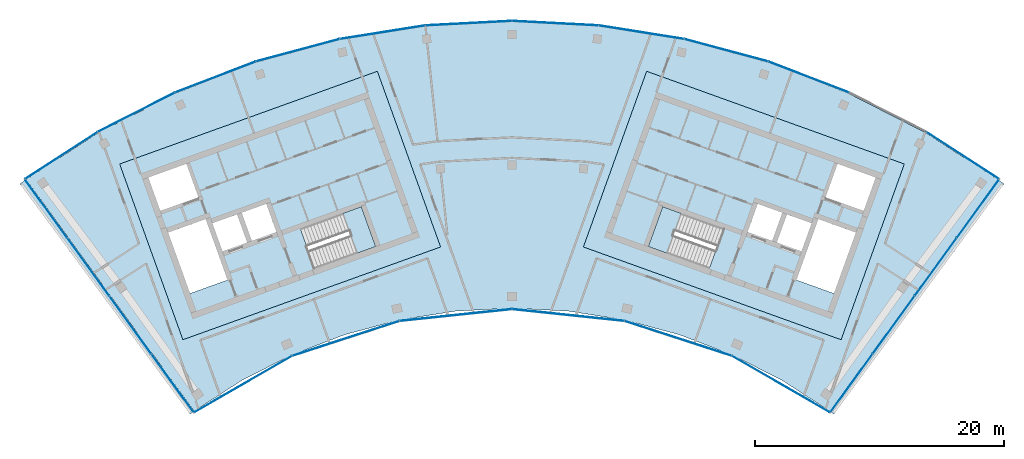
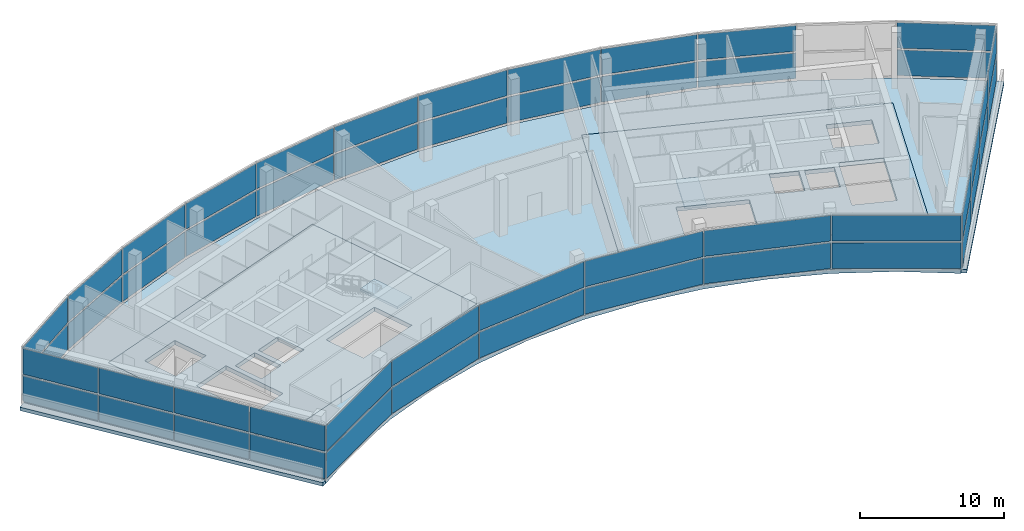
# One storey, part 7 of 13: 50 plates, 7 slabs, 6 elements without a shape of their own.
"""IFC4 building model written with IfcOpenShell, lengths in metres."""

import ifcopenshell
import ifcopenshell.guid

model = None  # the IFC model being written
_history = None  # IfcOwnerHistory: only IFC2X3 demands one
_inside = {}  # id of a spatial element -> (the spatial element, [elements in it])
_under = {}  # id of a project, library or spatial element -> (it, [spatial elements below it])
_declared = {}  # id of a project -> (the project, [libraries it declares])
_typed = {}  # id of a type object -> (the type object, [elements of that type])
_made_of = {}  # id of a material, layer set ... -> (it, [elements and type objects made of it])


def new_model(schema):
    """Start an empty IFC model of exactly this schema.

    Asked for "IFC4X3", IfcOpenShell would pick the latest addendum, in which some entities
    have other attributes; the version numbers below select the first issue.
    IFC2X3 requires an IfcOwnerHistory on every rooted entity: one is made here for all.
    """
    global model, _history
    if schema == "IFC4X3":
        model = ifcopenshell.file(schema_version=(4, 3, 0, 0))
    else:
        model = ifcopenshell.file(schema=schema)
    _inside.clear()
    _under.clear()
    _declared.clear()
    _typed.clear()
    _made_of.clear()
    _history = None
    if model.schema == "IFC2X3":
        org = make("IfcOrganization", Name="unknown")
        user = make(
            "IfcPersonAndOrganization",
            ThePerson=make("IfcPerson", FamilyName="unknown"),
            TheOrganization=org,
        )
        app = make(
            "IfcApplication",
            ApplicationDeveloper=org,
            Version="unknown",
            ApplicationFullName="unknown",
            ApplicationIdentifier="unknown",
        )
        _history = make(
            "IfcOwnerHistory",
            OwningUser=user,
            OwningApplication=app,
            ChangeAction="ADDED",
            CreationDate=0,
        )
    return model


def make(cls, **values):
    """One entity of the class cls with the attributes given. An attribute that is None is left unset."""
    return model.create_entity(
        cls, **{name: value for name, value in values.items() if value is not None}
    )


def rooted(cls, **values):
    """An entity with a GlobalId (a new one), such as an element, a storey or a relation."""
    return make(cls, GlobalId=ifcopenshell.guid.new(), OwnerHistory=_history, **values)


def si_unit(unit_type, name, prefix=None):
    """IfcSIUnit, for example si_unit("LENGTHUNIT", "METRE", prefix="MILLI")."""
    return make("IfcSIUnit", UnitType=unit_type, Prefix=prefix, Name=name)


def assignment(units):
    """IfcUnitAssignment: the units of a project."""
    return None if units is None else make("IfcUnitAssignment", Units=units)


def point(xyz):
    """IfcCartesianPoint."""
    return None if xyz is None else make("IfcCartesianPoint", Coordinates=xyz)


def direction(xyz):
    """IfcDirection."""
    return None if xyz is None else make("IfcDirection", DirectionRatios=xyz)


def frame(location, z_axis=None, x_axis=None):
    """IfcAxis2Placement3D, a coordinate frame: its origin and axes. An axis left out is left unset."""
    return make(
        "IfcAxis2Placement3D",
        Location=point(location),
        Axis=direction(z_axis),
        RefDirection=direction(x_axis),
    )


def frame_2d(location, x_axis=None):
    """IfcAxis2Placement2D, a coordinate frame in the plane: its origin and x axis."""
    return make(
        "IfcAxis2Placement2D", Location=point(location), RefDirection=direction(x_axis)
    )


def origin():
    """The frame at (0, 0, 0) with its axes left unset."""
    return frame((0.0, 0.0, 0.0))


def origin_2d():
    """The frame at (0, 0) in the plane with its x axis left unset."""
    return frame_2d((0.0, 0.0))


def place(relative_to, where):
    """IfcLocalPlacement: puts the frame where relative to a parent placement (None: the world)."""
    return make(
        "IfcLocalPlacement", PlacementRelTo=relative_to, RelativePlacement=where
    )


def context(
    kind, dimensions, precision=None, world=None, true_north=None, identifier=None
):
    """IfcGeometricRepresentationContext, for example the 3D "Model" context."""
    return make(
        "IfcGeometricRepresentationContext",
        ContextIdentifier=identifier,
        ContextType=kind,
        CoordinateSpaceDimension=dimensions,
        Precision=precision,
        WorldCoordinateSystem=world,
        TrueNorth=true_north,
    )


def subcontext(parent, identifier, kind, view, scale=None):
    """IfcGeometricRepresentationSubContext, for example "Body" below "Model"."""
    return make(
        "IfcGeometricRepresentationSubContext",
        ContextIdentifier=identifier,
        ContextType=kind,
        ParentContext=parent,
        TargetScale=scale,
        TargetView=view,
    )


def project(units=None, contexts=None):
    """IfcProject with its units and contexts."""
    return rooted(
        "IfcProject",
        Name="project",
        RepresentationContexts=contexts,
        UnitsInContext=assignment(units),
    )


def spatial(cls, under=None, at=None, **own):
    """A site, building, storey or space (cls), placed at a placement, below another one or the project."""
    s = rooted(cls, ObjectPlacement=at, **own)
    if under is not None:
        _under.setdefault(under.id(), (under, []))[1].append(s)
    return s


def polyline(points):
    """IfcPolyline through the points."""
    return make("IfcPolyline", Points=[point(p) for p in points])


def profile(cls, at=None, kind="AREA", **sizes):
    """A parametric profile (cls). Its sizes go by their IFC names, for example OverallWidth=200.0."""
    return make(cls, ProfileType=kind, Position=at, **sizes)


def rectangle(**sizes):
    """IfcRectangleProfileDef."""
    return profile("IfcRectangleProfileDef", **sizes)


def outline(outer, holes=None, kind="AREA"):
    """IfcArbitraryClosedProfileDef: a profile drawn as a closed curve; with holes, ...WithVoids."""
    if holes is None:
        return make("IfcArbitraryClosedProfileDef", ProfileType=kind, OuterCurve=outer)
    return make(
        "IfcArbitraryProfileDefWithVoids",
        ProfileType=kind,
        OuterCurve=outer,
        InnerCurves=holes,
    )


def extrude(swept, where, along, depth):
    """IfcExtrudedAreaSolid: the profile swept, set in the frame where, extruded along a direction by depth."""
    return make(
        "IfcExtrudedAreaSolid",
        SweptArea=swept,
        Position=where,
        ExtrudedDirection=direction(along),
        Depth=depth,
    )


def shape(context_of_items, identifier, shape_type, items):
    """IfcShapeRepresentation: the items that make up one representation, for example the "Body"."""
    return make(
        "IfcShapeRepresentation",
        ContextOfItems=context_of_items,
        RepresentationIdentifier=identifier,
        RepresentationType=shape_type,
        Items=items,
    )


def material(Name=None, Category=None):
    """IfcMaterial."""
    return make("IfcMaterial", Name=Name, Category=Category)


def layer(
    of_material, thickness, ventilated=None, Name=None, Category=None, Priority=None
):
    """IfcMaterialLayer: one layer of a wall or slab, of a material (None: an air gap)."""
    return make(
        "IfcMaterialLayer",
        Material=of_material,
        LayerThickness=thickness,
        IsVentilated=ventilated,
        Name=Name,
        Category=Category,
        Priority=Priority,
    )


def layer_set(layers, Name=None):
    """IfcMaterialLayerSet."""
    return make("IfcMaterialLayerSet", MaterialLayers=layers, LayerSetName=Name)


def made_of(thing, what):
    """Note that an element or type object is made of a material, layer set ...; save() writes the relation."""
    if what is not None:
        _made_of.setdefault(what.id(), (what, []))[1].append(thing)
    return thing


def type_object(cls, material=None, **own):
    """A type object (cls), such as IfcWallType, which elements share."""
    return made_of(rooted(cls, **own), material)


def element(
    cls,
    number,
    at=None,
    inside=None,
    cuts=None,
    type_object=None,
    material=None,
    context=None,
    identifier="Body",
    shape_type=None,
    held_by="IfcProductDefinitionShape",
    body=None,
    shapes=None,
    **own,
):
    """One element of the class cls, such as IfcWall. Its Tag is "e" and its number.

    at: its placement. inside: the storey or other place that contains it. cuts: it is an
    opening in that element (IfcRelVoidsElement). A single representation is given by context,
    identifier, shape_type and body (its items); several are given by shapes. held_by: the class
    of the entity that holds the representations. save() writes the other relations.
    """
    e = rooted(cls, Tag="e%d" % number, ObjectPlacement=at, **own)
    if body is not None:
        shapes = [shape(context, identifier, shape_type, body)]
    if shapes is not None:
        e.Representation = make(held_by, Representations=shapes)
    if inside is not None:
        _inside.setdefault(inside.id(), (inside, []))[1].append(e)
    if cuts is not None:
        rooted(
            "IfcRelVoidsElement", RelatingBuildingElement=cuts, RelatedOpeningElement=e
        )
    if type_object is not None:
        _typed.setdefault(type_object.id(), (type_object, []))[1].append(e)
    return made_of(e, material)


def aggregate(whole, parts):
    """IfcRelAggregates: a whole, such as a stair, and the parts it consists of."""
    return rooted("IfcRelAggregates", RelatingObject=whole, RelatedObjects=parts)


def save(model, path):
    """Write the relations noted so far, then the file.

    IfcRelAggregates (storeys below a building ...), IfcRelContainedInSpatialStructure (elements
    in a storey), IfcRelDefinesByType, IfcRelAssociatesMaterial and IfcRelDeclares: one each for
    every whole, place, type object, material and project.
    """
    for whole, parts in _under.values():
        aggregate(whole, parts)
    for where, things in _inside.values():
        rooted(
            "IfcRelContainedInSpatialStructure",
            RelatedElements=things,
            RelatingStructure=where,
        )
    for kind, things in _typed.values():
        rooted("IfcRelDefinesByType", RelatedObjects=things, RelatingType=kind)
    for what, things in _made_of.values():
        rooted("IfcRelAssociatesMaterial", RelatedObjects=things, RelatingMaterial=what)
    for by, libraries in _declared.values():
        rooted("IfcRelDeclares", RelatingContext=by, RelatedDefinitions=libraries)
    model.write(path)


model = new_model("IFC4")

# Units and contexts
model_context = context("Model", 3, precision=1e-05, world=origin(), true_north=direction((0.0, 1.0)))
body_context = subcontext(model_context, "Body", "Model", "MODEL_VIEW")
ifc_project = project(units=[si_unit("LENGTHUNIT", "METRE"), si_unit("AREAUNIT", "SQUARE_METRE"), si_unit("VOLUMEUNIT", "CUBIC_METRE"), si_unit("PLANEANGLEUNIT", "RADIAN"), si_unit("MASSUNIT", "GRAM", prefix="KILO")], contexts=[model_context])

# Site, building, storey
site_placement = place(None, origin())
site = spatial("IfcSite", under=ifc_project, at=site_placement, CompositionType="ELEMENT")
building_placement = place(site_placement, origin())
building = spatial("IfcBuilding", under=site, at=building_placement, Name="Stone Belt Terrace Tower", CompositionType="ELEMENT")
storey_placement = place(building_placement, frame((0.0, 0.0, 332.60009765625)))
storey = spatial("IfcBuildingStorey", under=building, at=storey_placement, Name="L79", CompositionType="ELEMENT", Elevation=332.60009765625)

# Curtain wall, plates
ifc_material_1 = material(Name="Aluminium 6063-T6 anodised frame", Category="aluminium")
ifc_layer_1 = layer(ifc_material_1, 0.14990234375)
ifc_layer_set_1 = layer_set([ifc_layer_1], Name="CW-F observation floor curtain wall")
curtain_wall_type = type_object("IfcCurtainWallType", Name="CW-F observation floor curtain wall", PredefinedType="NOTDEFINED", material=ifc_layer_set_1)
curtain_wall_1_placement = place(storey_placement, origin())
curtain_wall_1 = element("IfcCurtainWall", 1, at=curtain_wall_1_placement, inside=storey, type_object=curtain_wall_type, Name="CW-F concave face L79", PredefinedType="NOTDEFINED")
ifc_material_2 = material(Name="Clear double glazed unit")
ifc_layer_2 = layer(ifc_material_2, 0.035888671875)
ifc_layer_set_2 = layer_set([ifc_layer_2], Name="CW-F glass panel 36")
plate_type = type_object("IfcPlateType", Name="CW-F glass panel 36", PredefinedType="CURTAIN_PANEL", material=ifc_layer_set_2)
plate_1_placement = place(storey_placement, frame((-21.593017578125, 37.403564453125, 0.14990234375), z_axis=(0.0, 0.0, 1.0), x_axis=(0.866286736239, 0.499547085486, 0.0)))
plate_1 = element("IfcPlate", 2, at=plate_1_placement, type_object=plate_type, Name="CW-F panel 1.1", PredefinedType="CURTAIN_PANEL", context=body_context, shape_type="SweptSolid", body=[
    extrude(rectangle(XDim=8.989501953125, YDim=0.035888671875, at=origin_2d()), origin(), (0.0, 0.0, 1.0), 2.175048828125),
])
plate_2_placement = place(storey_placement, frame((-21.593017578125, 37.403564453125, 2.47509765625), z_axis=(0.0, 0.0, 1.0), x_axis=(0.866286736239, 0.499547085486, 0.0)))
plate_2 = element("IfcPlate", 3, at=plate_2_placement, type_object=plate_type, Name="CW-F panel 1.2", PredefinedType="CURTAIN_PANEL", context=body_context, shape_type="SweptSolid", body=[
    extrude(rectangle(XDim=8.989501953125, YDim=0.035888671875, at=origin_2d()), origin(), (0.0, 0.0, 1.0), 2.175048828125),
])
plate_3_placement = place(storey_placement, frame((-13.345458984375, 41.072998046875, 0.14990234375), z_axis=(0.0, 0.0, 1.0), x_axis=(0.951056516295, 0.309016994375, 0.0)))
plate_3 = element("IfcPlate", 4, at=plate_3_placement, type_object=plate_type, Name="CW-F panel 2.1", PredefinedType="CURTAIN_PANEL", context=body_context, shape_type="SweptSolid", body=[
    extrude(rectangle(XDim=8.992919921875, YDim=0.035888671875, at=origin_2d()), origin(), (0.0, 0.0, 1.0), 2.175048828125),
])
plate_4_placement = place(storey_placement, frame((-13.345458984375, 41.072998046875, 2.47509765625), z_axis=(0.0, 0.0, 1.0), x_axis=(0.951056516295, 0.309016994375, 0.0)))
plate_4 = element("IfcPlate", 5, at=plate_4_placement, type_object=plate_type, Name="CW-F panel 2.2", PredefinedType="CURTAIN_PANEL", context=body_context, shape_type="SweptSolid", body=[
    extrude(rectangle(XDim=8.992919921875, YDim=0.035888671875, at=origin_2d()), origin(), (0.0, 0.0, 1.0), 2.175048828125),
])
plate_5_placement = place(storey_placement, frame((-4.51416015625, 42.9501953125, 0.14990234375), z_axis=(0.0, 0.0, 1.0), x_axis=(0.994521895368, 0.104528463268, 0.0)))
plate_5 = element("IfcPlate", 6, at=plate_5_placement, type_object=plate_type, Name="CW-F panel 3.1", PredefinedType="CURTAIN_PANEL", context=body_context, shape_type="SweptSolid", body=[
    extrude(rectangle(XDim=8.992919921875, YDim=0.035888671875, at=origin_2d()), origin(), (0.0, 0.0, 1.0), 2.175048828125),
])
plate_6_placement = place(storey_placement, frame((-4.51416015625, 42.9501953125, 2.47509765625), z_axis=(0.0, 0.0, 1.0), x_axis=(0.994521895368, 0.104528463268, 0.0)))
plate_6 = element("IfcPlate", 7, at=plate_6_placement, type_object=plate_type, Name="CW-F panel 3.2", PredefinedType="CURTAIN_PANEL", context=body_context, shape_type="SweptSolid", body=[
    extrude(rectangle(XDim=8.992919921875, YDim=0.035888671875, at=origin_2d()), origin(), (0.0, 0.0, 1.0), 2.175048828125),
])
plate_7_placement = place(storey_placement, frame((4.51416015625, 42.9501953125, 0.14990234375), z_axis=(0.0, 0.0, 1.0), x_axis=(0.994521895368, -0.104528463268, 0.0)))
plate_7 = element("IfcPlate", 8, at=plate_7_placement, type_object=plate_type, Name="CW-F panel 4.1", PredefinedType="CURTAIN_PANEL", context=body_context, shape_type="SweptSolid", body=[
    extrude(rectangle(XDim=8.992919921875, YDim=0.035888671875, at=origin_2d()), origin(), (0.0, 0.0, 1.0), 2.175048828125),
])
plate_8_placement = place(storey_placement, frame((4.51416015625, 42.9501953125, 2.47509765625), z_axis=(0.0, 0.0, 1.0), x_axis=(0.994521895368, -0.104528463268, 0.0)))
plate_8 = element("IfcPlate", 9, at=plate_8_placement, type_object=plate_type, Name="CW-F panel 4.2", PredefinedType="CURTAIN_PANEL", context=body_context, shape_type="SweptSolid", body=[
    extrude(rectangle(XDim=8.992919921875, YDim=0.035888671875, at=origin_2d()), origin(), (0.0, 0.0, 1.0), 2.175048828125),
])
plate_9_placement = place(storey_placement, frame((13.345458984375, 41.072998046875, 0.14990234375), z_axis=(0.0, 0.0, 1.0), x_axis=(0.951056516295, -0.309016994375, 0.0)))
plate_9 = element("IfcPlate", 10, at=plate_9_placement, type_object=plate_type, Name="CW-F panel 5.1", PredefinedType="CURTAIN_PANEL", context=body_context, shape_type="SweptSolid", body=[
    extrude(rectangle(XDim=8.992919921875, YDim=0.035888671875, at=origin_2d()), origin(), (0.0, 0.0, 1.0), 2.175048828125),
])
plate_10_placement = place(storey_placement, frame((13.345458984375, 41.072998046875, 2.47509765625), z_axis=(0.0, 0.0, 1.0), x_axis=(0.951056516295, -0.309016994375, 0.0)))
plate_10 = element("IfcPlate", 11, at=plate_10_placement, type_object=plate_type, Name="CW-F panel 5.2", PredefinedType="CURTAIN_PANEL", context=body_context, shape_type="SweptSolid", body=[
    extrude(rectangle(XDim=8.992919921875, YDim=0.035888671875, at=origin_2d()), origin(), (0.0, 0.0, 1.0), 2.175048828125),
])
plate_11_placement = place(storey_placement, frame((21.593017578125, 37.403564453125, 0.14990234375), z_axis=(0.0, 0.0, 1.0), x_axis=(0.866286736239, -0.499547085486, 0.0)))
plate_11 = element("IfcPlate", 12, at=plate_11_placement, type_object=plate_type, Name="CW-F panel 6.1", PredefinedType="CURTAIN_PANEL", context=body_context, shape_type="SweptSolid", body=[
    extrude(rectangle(XDim=8.989501953125, YDim=0.035888671875, at=origin_2d()), origin(), (0.0, 0.0, 1.0), 2.175048828125),
])
plate_12_placement = place(storey_placement, frame((21.593017578125, 37.403564453125, 2.47509765625), z_axis=(0.0, 0.0, 1.0), x_axis=(0.866286736239, -0.499547085486, 0.0)))
plate_12 = element("IfcPlate", 13, at=plate_12_placement, type_object=plate_type, Name="CW-F panel 6.2", PredefinedType="CURTAIN_PANEL", context=body_context, shape_type="SweptSolid", body=[
    extrude(rectangle(XDim=8.989501953125, YDim=0.035888671875, at=origin_2d()), origin(), (0.0, 0.0, 1.0), 2.175048828125),
])
aggregate(curtain_wall_1, [plate_1, plate_2, plate_3, plate_4, plate_5, plate_6, plate_7, plate_8, plate_9, plate_10, plate_11, plate_12])

curtain_wall_2_placement = place(storey_placement, origin())
curtain_wall_2 = element("IfcCurtainWall", 14, at=curtain_wall_2_placement, inside=storey, type_object=curtain_wall_type, Name="CW-F end face L79", PredefinedType="NOTDEFINED")
plate_13_placement = place(storey_placement, frame((27.272216796875, 37.491943359375, 0.14990234375), z_axis=(0.0, 0.0, 1.0), x_axis=(0.586938858249, 0.809631259696, 0.0)))
plate_13 = element("IfcPlate", 15, at=plate_13_placement, type_object=plate_type, Name="CW-F panel 1.1", PredefinedType="CURTAIN_PANEL", context=body_context, shape_type="SweptSolid", body=[
    extrude(rectangle(XDim=5.706298828125, YDim=0.035888671875, at=origin_2d()), origin(), (0.0, 0.0, 1.0), 2.175048828125),
])
plate_14_placement = place(storey_placement, frame((27.272216796875, 37.491943359375, 2.47509765625), z_axis=(0.0, 0.0, 1.0), x_axis=(0.586938858249, 0.809631259696, 0.0)))
plate_14 = element("IfcPlate", 16, at=plate_14_placement, type_object=plate_type, Name="CW-F panel 1.2", PredefinedType="CURTAIN_PANEL", context=body_context, shape_type="SweptSolid", body=[
    extrude(rectangle(XDim=5.706298828125, YDim=0.035888671875, at=origin_2d()), origin(), (0.0, 0.0, 1.0), 2.175048828125),
])
plate_15_placement = place(storey_placement, frame((30.655029296875, 42.157958984375, 0.14990234375), z_axis=(0.0, 0.0, 1.0), x_axis=(0.586938858249, 0.809631259696, 0.0)))
plate_15 = element("IfcPlate", 17, at=plate_15_placement, type_object=plate_type, Name="CW-F panel 2.1", PredefinedType="CURTAIN_PANEL", context=body_context, shape_type="SweptSolid", body=[
    extrude(rectangle(XDim=5.679931640625, YDim=0.035888671875, at=origin_2d()), origin(), (0.0, 0.0, 1.0), 2.175048828125),
])
plate_16_placement = place(storey_placement, frame((30.655029296875, 42.157958984375, 2.47509765625), z_axis=(0.0, 0.0, 1.0), x_axis=(0.586938858249, 0.809631259696, 0.0)))
plate_16 = element("IfcPlate", 18, at=plate_16_placement, type_object=plate_type, Name="CW-F panel 2.2", PredefinedType="CURTAIN_PANEL", context=body_context, shape_type="SweptSolid", body=[
    extrude(rectangle(XDim=5.679931640625, YDim=0.035888671875, at=origin_2d()), origin(), (0.0, 0.0, 1.0), 2.175048828125),
])
plate_17_placement = place(storey_placement, frame((34.02978515625, 46.8134765625, 0.14990234375), z_axis=(0.0, 0.0, 1.0), x_axis=(0.586938858249, 0.809631259696, 0.0)))
plate_17 = element("IfcPlate", 19, at=plate_17_placement, type_object=plate_type, Name="CW-F panel 3.1", PredefinedType="CURTAIN_PANEL", context=body_context, shape_type="SweptSolid", body=[
    extrude(rectangle(XDim=5.679931640625, YDim=0.035888671875, at=origin_2d()), origin(), (0.0, 0.0, 1.0), 2.175048828125),
])
plate_18_placement = place(storey_placement, frame((34.02978515625, 46.8134765625, 2.47509765625), z_axis=(0.0, 0.0, 1.0), x_axis=(0.586938858249, 0.809631259696, 0.0)))
plate_18 = element("IfcPlate", 20, at=plate_18_placement, type_object=plate_type, Name="CW-F panel 3.2", PredefinedType="CURTAIN_PANEL", context=body_context, shape_type="SweptSolid", body=[
    extrude(rectangle(XDim=5.679931640625, YDim=0.035888671875, at=origin_2d()), origin(), (0.0, 0.0, 1.0), 2.175048828125),
])
plate_19_placement = place(storey_placement, frame((37.4150390625, 51.483154296875, 0.14990234375), z_axis=(0.0, 0.0, 1.0), x_axis=(0.586938858249, 0.809631259696, 0.0)))
plate_19 = element("IfcPlate", 21, at=plate_19_placement, type_object=plate_type, Name="CW-F panel 4.1", PredefinedType="CURTAIN_PANEL", context=body_context, shape_type="SweptSolid", body=[
    extrude(rectangle(XDim=5.715576171875, YDim=0.035888671875, at=origin_2d()), origin(), (0.0, 0.0, 1.0), 2.175048828125),
])
plate_20_placement = place(storey_placement, frame((37.4150390625, 51.483154296875, 2.47509765625), z_axis=(0.0, 0.0, 1.0), x_axis=(0.586938858249, 0.809631259696, 0.0)))
plate_20 = element("IfcPlate", 22, at=plate_20_placement, type_object=plate_type, Name="CW-F panel 4.2", PredefinedType="CURTAIN_PANEL", context=body_context, shape_type="SweptSolid", body=[
    extrude(rectangle(XDim=5.715576171875, YDim=0.035888671875, at=origin_2d()), origin(), (0.0, 0.0, 1.0), 2.175048828125),
])
aggregate(curtain_wall_2, [plate_13, plate_14, plate_15, plate_16, plate_17, plate_18, plate_19, plate_20])

curtain_wall_3_placement = place(storey_placement, origin())
curtain_wall_3 = element("IfcCurtainWall", 23, at=curtain_wall_3_placement, inside=storey, type_object=curtain_wall_type, Name="CW-F convex face L79", PredefinedType="NOTDEFINED")
plate_21_placement = place(storey_placement, frame((36.1962890625, 55.768798828125, 0.14990234375), z_axis=(0.0, 0.0, 1.0), x_axis=(-0.838955245967, 0.544200418288, 0.0)))
plate_21 = element("IfcPlate", 24, at=plate_21_placement, type_object=plate_type, Name="CW-F panel 1.1", PredefinedType="CURTAIN_PANEL", context=body_context, shape_type="SweptSolid", body=[
    extrude(rectangle(XDim=6.856689453125, YDim=0.035888671875, at=origin_2d()), origin(), (0.0, 0.0, 1.0), 2.175048828125),
])
plate_22_placement = place(storey_placement, frame((36.1962890625, 55.768798828125, 2.47509765625), z_axis=(0.0, 0.0, 1.0), x_axis=(-0.838955245967, 0.544200418288, 0.0)))
plate_22 = element("IfcPlate", 25, at=plate_22_placement, type_object=plate_type, Name="CW-F panel 1.2", PredefinedType="CURTAIN_PANEL", context=body_context, shape_type="SweptSolid", body=[
    extrude(rectangle(XDim=6.856689453125, YDim=0.035888671875, at=origin_2d()), origin(), (0.0, 0.0, 1.0), 2.175048828125),
])
plate_23_placement = place(storey_placement, frame((23.82568359375, 62.068115234375, 0.14990234375), z_axis=(0.0, 0.0, 1.0), x_axis=(-0.933580426497, 0.358367949545, 0.0)))
plate_23 = element("IfcPlate", 26, at=plate_23_placement, type_object=plate_type, Name="CW-F panel 3.1", PredefinedType="CURTAIN_PANEL", context=body_context, shape_type="SweptSolid", body=[
    extrude(rectangle(XDim=6.890869140625, YDim=0.035888671875, at=origin_2d()), origin(), (0.0, 0.0, 1.0), 2.175048828125),
])
plate_24_placement = place(storey_placement, frame((23.82568359375, 62.068115234375, 2.47509765625), z_axis=(0.0, 0.0, 1.0), x_axis=(-0.933580426497, 0.358367949545, 0.0)))
plate_24 = element("IfcPlate", 27, at=plate_24_placement, type_object=plate_type, Name="CW-F panel 3.2", PredefinedType="CURTAIN_PANEL", context=body_context, shape_type="SweptSolid", body=[
    extrude(rectangle(XDim=6.890869140625, YDim=0.035888671875, at=origin_2d()), origin(), (0.0, 0.0, 1.0), 2.175048828125),
])
plate_25_placement = place(storey_placement, frame((17.207275390625, 64.218505859375, 0.14990234375), z_axis=(0.0, 0.0, 1.0), x_axis=(-0.965925826289, 0.258819045103, 0.0)))
plate_25 = element("IfcPlate", 28, at=plate_25_placement, type_object=plate_type, Name="CW-F panel 4.1", PredefinedType="CURTAIN_PANEL", context=body_context, shape_type="SweptSolid", body=[
    extrude(rectangle(XDim=6.890869140625, YDim=0.035888671875, at=origin_2d()), origin(), (0.0, 0.0, 1.0), 2.175048828125),
])
plate_26_placement = place(storey_placement, frame((17.207275390625, 64.218505859375, 2.47509765625), z_axis=(0.0, 0.0, 1.0), x_axis=(-0.965925826289, 0.258819045103, 0.0)))
plate_26 = element("IfcPlate", 29, at=plate_26_placement, type_object=plate_type, Name="CW-F panel 4.2", PredefinedType="CURTAIN_PANEL", context=body_context, shape_type="SweptSolid", body=[
    extrude(rectangle(XDim=6.890869140625, YDim=0.035888671875, at=origin_2d()), origin(), (0.0, 0.0, 1.0), 2.175048828125),
])
plate_27_placement = place(storey_placement, frame((10.400390625, 65.665283203125, 0.14990234375), z_axis=(0.0, 0.0, 1.0), x_axis=(-0.987688340595, 0.15643446504, 0.0)))
plate_27 = element("IfcPlate", 30, at=plate_27_placement, type_object=plate_type, Name="CW-F panel 5.1", PredefinedType="CURTAIN_PANEL", context=body_context, shape_type="SweptSolid", body=[
    extrude(rectangle(XDim=6.890869140625, YDim=0.035888671875, at=origin_2d()), origin(), (0.0, 0.0, 1.0), 2.175048828125),
])
plate_28_placement = place(storey_placement, frame((10.400390625, 65.665283203125, 2.47509765625), z_axis=(0.0, 0.0, 1.0), x_axis=(-0.987688340595, 0.15643446504, 0.0)))
plate_28 = element("IfcPlate", 31, at=plate_28_placement, type_object=plate_type, Name="CW-F panel 5.2", PredefinedType="CURTAIN_PANEL", context=body_context, shape_type="SweptSolid", body=[
    extrude(rectangle(XDim=6.890869140625, YDim=0.035888671875, at=origin_2d()), origin(), (0.0, 0.0, 1.0), 2.175048828125),
])
plate_29_placement = place(storey_placement, frame((3.4794921875, 66.392822265625, 0.14990234375), z_axis=(0.0, 0.0, 1.0), x_axis=(-0.998629534755, 0.052335956243, 0.0)))
plate_29 = element("IfcPlate", 32, at=plate_29_placement, type_object=plate_type, Name="CW-F panel 6.1", PredefinedType="CURTAIN_PANEL", context=body_context, shape_type="SweptSolid", body=[
    extrude(rectangle(XDim=6.890869140625, YDim=0.035888671875, at=origin_2d()), origin(), (0.0, 0.0, 1.0), 2.175048828125),
])
plate_30_placement = place(storey_placement, frame((3.4794921875, 66.392822265625, 2.47509765625), z_axis=(0.0, 0.0, 1.0), x_axis=(-0.998629534755, 0.052335956243, 0.0)))
plate_30 = element("IfcPlate", 33, at=plate_30_placement, type_object=plate_type, Name="CW-F panel 6.2", PredefinedType="CURTAIN_PANEL", context=body_context, shape_type="SweptSolid", body=[
    extrude(rectangle(XDim=6.890869140625, YDim=0.035888671875, at=origin_2d()), origin(), (0.0, 0.0, 1.0), 2.175048828125),
])
plate_31_placement = place(storey_placement, frame((-3.4794921875, 66.392822265625, 0.14990234375), z_axis=(0.0, 0.0, 1.0), x_axis=(-0.998629534755, -0.052335956243, 0.0)))
plate_31 = element("IfcPlate", 34, at=plate_31_placement, type_object=plate_type, Name="CW-F panel 7.1", PredefinedType="CURTAIN_PANEL", context=body_context, shape_type="SweptSolid", body=[
    extrude(rectangle(XDim=6.890869140625, YDim=0.035888671875, at=origin_2d()), origin(), (0.0, 0.0, 1.0), 2.175048828125),
])
plate_32_placement = place(storey_placement, frame((-3.4794921875, 66.392822265625, 2.47509765625), z_axis=(0.0, 0.0, 1.0), x_axis=(-0.998629534755, -0.052335956243, 0.0)))
plate_32 = element("IfcPlate", 35, at=plate_32_placement, type_object=plate_type, Name="CW-F panel 7.2", PredefinedType="CURTAIN_PANEL", context=body_context, shape_type="SweptSolid", body=[
    extrude(rectangle(XDim=6.890869140625, YDim=0.035888671875, at=origin_2d()), origin(), (0.0, 0.0, 1.0), 2.175048828125),
])
plate_33_placement = place(storey_placement, frame((-10.400390625, 65.665283203125, 0.14990234375), z_axis=(0.0, 0.0, 1.0), x_axis=(-0.987688340595, -0.15643446504, 0.0)))
plate_33 = element("IfcPlate", 36, at=plate_33_placement, type_object=plate_type, Name="CW-F panel 8.1", PredefinedType="CURTAIN_PANEL", context=body_context, shape_type="SweptSolid", body=[
    extrude(rectangle(XDim=6.890869140625, YDim=0.035888671875, at=origin_2d()), origin(), (0.0, 0.0, 1.0), 2.175048828125),
])
plate_34_placement = place(storey_placement, frame((-10.400390625, 65.665283203125, 2.47509765625), z_axis=(0.0, 0.0, 1.0), x_axis=(-0.987688340595, -0.15643446504, 0.0)))
plate_34 = element("IfcPlate", 37, at=plate_34_placement, type_object=plate_type, Name="CW-F panel 8.2", PredefinedType="CURTAIN_PANEL", context=body_context, shape_type="SweptSolid", body=[
    extrude(rectangle(XDim=6.890869140625, YDim=0.035888671875, at=origin_2d()), origin(), (0.0, 0.0, 1.0), 2.175048828125),
])
plate_35_placement = place(storey_placement, frame((-17.207275390625, 64.218505859375, 0.14990234375), z_axis=(0.0, 0.0, 1.0), x_axis=(-0.965925826289, -0.258819045103, 0.0)))
plate_35 = element("IfcPlate", 38, at=plate_35_placement, type_object=plate_type, Name="CW-F panel 9.1", PredefinedType="CURTAIN_PANEL", context=body_context, shape_type="SweptSolid", body=[
    extrude(rectangle(XDim=6.890869140625, YDim=0.035888671875, at=origin_2d()), origin(), (0.0, 0.0, 1.0), 2.175048828125),
])
plate_36_placement = place(storey_placement, frame((-17.207275390625, 64.218505859375, 2.47509765625), z_axis=(0.0, 0.0, 1.0), x_axis=(-0.965925826289, -0.258819045103, 0.0)))
plate_36 = element("IfcPlate", 39, at=plate_36_placement, type_object=plate_type, Name="CW-F panel 9.2", PredefinedType="CURTAIN_PANEL", context=body_context, shape_type="SweptSolid", body=[
    extrude(rectangle(XDim=6.890869140625, YDim=0.035888671875, at=origin_2d()), origin(), (0.0, 0.0, 1.0), 2.175048828125),
])
plate_37_placement = place(storey_placement, frame((-23.82568359375, 62.068115234375, 0.14990234375), z_axis=(0.0, 0.0, 1.0), x_axis=(-0.933580426497, -0.358367949545, 0.0)))
plate_37 = element("IfcPlate", 40, at=plate_37_placement, type_object=plate_type, Name="CW-F panel 10.1", PredefinedType="CURTAIN_PANEL", context=body_context, shape_type="SweptSolid", body=[
    extrude(rectangle(XDim=6.890869140625, YDim=0.035888671875, at=origin_2d()), origin(), (0.0, 0.0, 1.0), 2.175048828125),
])
plate_38_placement = place(storey_placement, frame((-23.82568359375, 62.068115234375, 2.47509765625), z_axis=(0.0, 0.0, 1.0), x_axis=(-0.933580426497, -0.358367949545, 0.0)))
plate_38 = element("IfcPlate", 41, at=plate_38_placement, type_object=plate_type, Name="CW-F panel 10.2", PredefinedType="CURTAIN_PANEL", context=body_context, shape_type="SweptSolid", body=[
    extrude(rectangle(XDim=6.890869140625, YDim=0.035888671875, at=origin_2d()), origin(), (0.0, 0.0, 1.0), 2.175048828125),
])
plate_39_placement = place(storey_placement, frame((-30.18310546875, 59.237548828125, 0.14990234375), z_axis=(0.0, 0.0, 1.0), x_axis=(-0.891006524188, -0.45399049974, 0.0)))
plate_39 = element("IfcPlate", 42, at=plate_39_placement, type_object=plate_type, Name="CW-F panel 11.1", PredefinedType="CURTAIN_PANEL", context=body_context, shape_type="SweptSolid", body=[
    extrude(rectangle(XDim=6.890869140625, YDim=0.035888671875, at=origin_2d()), origin(), (0.0, 0.0, 1.0), 2.175048828125),
])
plate_40_placement = place(storey_placement, frame((-30.18310546875, 59.237548828125, 2.47509765625), z_axis=(0.0, 0.0, 1.0), x_axis=(-0.891006524188, -0.45399049974, 0.0)))
plate_40 = element("IfcPlate", 43, at=plate_40_placement, type_object=plate_type, Name="CW-F panel 11.2", PredefinedType="CURTAIN_PANEL", context=body_context, shape_type="SweptSolid", body=[
    extrude(rectangle(XDim=6.890869140625, YDim=0.035888671875, at=origin_2d()), origin(), (0.0, 0.0, 1.0), 2.175048828125),
])
plate_41_placement = place(storey_placement, frame((-36.1962890625, 55.768798828125, 0.14990234375), z_axis=(0.0, 0.0, 1.0), x_axis=(-0.838955245967, -0.544200418288, 0.0)))
plate_41 = element("IfcPlate", 44, at=plate_41_placement, type_object=plate_type, Name="CW-F panel 12.1", PredefinedType="CURTAIN_PANEL", context=body_context, shape_type="SweptSolid", body=[
    extrude(rectangle(XDim=6.856689453125, YDim=0.035888671875, at=origin_2d()), origin(), (0.0, 0.0, 1.0), 2.175048828125),
])
plate_42_placement = place(storey_placement, frame((-36.1962890625, 55.768798828125, 2.47509765625), z_axis=(0.0, 0.0, 1.0), x_axis=(-0.838955245967, -0.544200418288, 0.0)))
plate_42 = element("IfcPlate", 45, at=plate_42_placement, type_object=plate_type, Name="CW-F panel 12.2", PredefinedType="CURTAIN_PANEL", context=body_context, shape_type="SweptSolid", body=[
    extrude(rectangle(XDim=6.856689453125, YDim=0.035888671875, at=origin_2d()), origin(), (0.0, 0.0, 1.0), 2.175048828125),
])
aggregate(curtain_wall_3, [plate_21, plate_22, plate_23, plate_24, plate_25, plate_26, plate_27, plate_28, plate_29, plate_30, plate_31, plate_32, plate_33, plate_34, plate_35, plate_36, plate_37, plate_38, plate_39, plate_40, plate_41, plate_42])

curtain_wall_4_placement = place(storey_placement, origin())
curtain_wall_4 = element("IfcCurtainWall", 46, at=curtain_wall_4_placement, inside=storey, type_object=curtain_wall_type, Name="CW-F end face L79", PredefinedType="NOTDEFINED")
plate_43_placement = place(storey_placement, frame((-37.4150390625, 51.483154296875, 0.14990234375), z_axis=(0.0, 0.0, 1.0), x_axis=(0.586938858249, -0.809631259696, 0.0)))
plate_43 = element("IfcPlate", 47, at=plate_43_placement, type_object=plate_type, Name="CW-F panel 1.1", PredefinedType="CURTAIN_PANEL", context=body_context, shape_type="SweptSolid", body=[
    extrude(rectangle(XDim=5.715576171875, YDim=0.035888671875, at=origin_2d()), origin(), (0.0, 0.0, 1.0), 2.175048828125),
])
plate_44_placement = place(storey_placement, frame((-37.4150390625, 51.483154296875, 2.47509765625), z_axis=(0.0, 0.0, 1.0), x_axis=(0.586938858249, -0.809631259696, 0.0)))
plate_44 = element("IfcPlate", 48, at=plate_44_placement, type_object=plate_type, Name="CW-F panel 1.2", PredefinedType="CURTAIN_PANEL", context=body_context, shape_type="SweptSolid", body=[
    extrude(rectangle(XDim=5.715576171875, YDim=0.035888671875, at=origin_2d()), origin(), (0.0, 0.0, 1.0), 2.175048828125),
])
plate_45_placement = place(storey_placement, frame((-34.02978515625, 46.8134765625, 0.14990234375), z_axis=(0.0, 0.0, 1.0), x_axis=(0.586938858249, -0.809631259696, 0.0)))
plate_45 = element("IfcPlate", 49, at=plate_45_placement, type_object=plate_type, Name="CW-F panel 2.1", PredefinedType="CURTAIN_PANEL", context=body_context, shape_type="SweptSolid", body=[
    extrude(rectangle(XDim=5.679931640625, YDim=0.035888671875, at=origin_2d()), origin(), (0.0, 0.0, 1.0), 2.175048828125),
])
plate_46_placement = place(storey_placement, frame((-34.02978515625, 46.8134765625, 2.47509765625), z_axis=(0.0, 0.0, 1.0), x_axis=(0.586938858249, -0.809631259696, 0.0)))
plate_46 = element("IfcPlate", 50, at=plate_46_placement, type_object=plate_type, Name="CW-F panel 2.2", PredefinedType="CURTAIN_PANEL", context=body_context, shape_type="SweptSolid", body=[
    extrude(rectangle(XDim=5.679931640625, YDim=0.035888671875, at=origin_2d()), origin(), (0.0, 0.0, 1.0), 2.175048828125),
])
plate_47_placement = place(storey_placement, frame((-30.655029296875, 42.157958984375, 0.14990234375), z_axis=(0.0, 0.0, 1.0), x_axis=(0.586938858249, -0.809631259696, 0.0)))
plate_47 = element("IfcPlate", 51, at=plate_47_placement, type_object=plate_type, Name="CW-F panel 3.1", PredefinedType="CURTAIN_PANEL", context=body_context, shape_type="SweptSolid", body=[
    extrude(rectangle(XDim=5.679931640625, YDim=0.035888671875, at=origin_2d()), origin(), (0.0, 0.0, 1.0), 2.175048828125),
])
plate_48_placement = place(storey_placement, frame((-30.655029296875, 42.157958984375, 2.47509765625), z_axis=(0.0, 0.0, 1.0), x_axis=(0.586938858249, -0.809631259696, 0.0)))
plate_48 = element("IfcPlate", 52, at=plate_48_placement, type_object=plate_type, Name="CW-F panel 3.2", PredefinedType="CURTAIN_PANEL", context=body_context, shape_type="SweptSolid", body=[
    extrude(rectangle(XDim=5.679931640625, YDim=0.035888671875, at=origin_2d()), origin(), (0.0, 0.0, 1.0), 2.175048828125),
])
plate_49_placement = place(storey_placement, frame((-27.272216796875, 37.491943359375, 0.14990234375), z_axis=(0.0, 0.0, 1.0), x_axis=(0.586938858249, -0.809631259696, 0.0)))
plate_49 = element("IfcPlate", 53, at=plate_49_placement, type_object=plate_type, Name="CW-F panel 4.1", PredefinedType="CURTAIN_PANEL", context=body_context, shape_type="SweptSolid", body=[
    extrude(rectangle(XDim=5.706298828125, YDim=0.035888671875, at=origin_2d()), origin(), (0.0, 0.0, 1.0), 2.175048828125),
])
plate_50_placement = place(storey_placement, frame((-27.272216796875, 37.491943359375, 2.47509765625), z_axis=(0.0, 0.0, 1.0), x_axis=(0.586938858249, -0.809631259696, 0.0)))
plate_50 = element("IfcPlate", 54, at=plate_50_placement, type_object=plate_type, Name="CW-F panel 4.2", PredefinedType="CURTAIN_PANEL", context=body_context, shape_type="SweptSolid", body=[
    extrude(rectangle(XDim=5.706298828125, YDim=0.035888671875, at=origin_2d()), origin(), (0.0, 0.0, 1.0), 2.175048828125),
])
aggregate(curtain_wall_4, [plate_43, plate_44, plate_45, plate_46, plate_47, plate_48, plate_49, plate_50])

# Slabs
ifc_material_3 = material(Name="Concrete B40", Category="concrete")
ifc_layer_3 = layer(ifc_material_3, 0.35009765625)
ifc_layer_set_3 = layer_set([ifc_layer_3], Name="Core floor slab 350")
slab_type_1 = type_object("IfcSlabType", Name="Core floor slab 350", PredefinedType="FLOOR", material=ifc_layer_set_3)
slab_1_placement = place(storey_placement, frame((0.0, 0.0, -0.35009765625)))
element("IfcSlab", 55, at=slab_1_placement, inside=storey, type_object=slab_type_1, Name="Core A floor L79", PredefinedType="FLOOR", context=body_context, shape_type="SweptSolid", body=[
    extrude(outline(polyline([(-26.43505859375, 40.968994140625), (-5.735107421875, 48.4189453125), (-10.81396484375, 62.531982421875), (-31.513916015625, 55.0830078125), (-26.43505859375, 40.968994140625)]), holes=[polyline([(-27.618896484375, 49.575927734375), (-24.60791015625, 50.659912109375), (-22.847900390625, 45.76806640625), (-25.85888671875, 44.68408203125), (-27.618896484375, 49.575927734375)]), polyline([(-12.10595703125, 51.652099609375), (-10.955078125, 48.452880859375), (-15.846923828125, 46.69189453125), (-16.998046875, 49.89208984375), (-12.10595703125, 51.652099609375)]), polyline([(-24.06298828125, 50.324951171875), (-22.0869140625, 51.035888671875), (-21.27392578125, 48.778076171875), (-23.25, 48.06689453125), (-24.06298828125, 50.324951171875)]), polyline([(-19.735107421875, 51.883056640625), (-18.922119140625, 49.6240234375), (-20.89794921875, 48.9130859375), (-21.7109375, 51.1708984375), (-19.735107421875, 51.883056640625)]), polyline([(-28.24609375, 51.31689453125), (-29.2109375, 53.9990234375), (-26.153076171875, 55.09912109375), (-25.18798828125, 52.41796875), (-28.24609375, 51.31689453125)])]), origin(), (0.0, 0.0, 1.0), 0.35009765625),
])
slab_2_placement = place(storey_placement, frame((0.0, 0.0, -0.35009765625)))
element("IfcSlab", 56, at=slab_2_placement, inside=storey, type_object=slab_type_1, Name="Core B floor L79", PredefinedType="FLOOR", context=body_context, shape_type="SweptSolid", body=[
    extrude(outline(polyline([(26.43505859375, 40.968994140625), (31.513916015625, 55.0830078125), (10.81396484375, 62.531982421875), (5.735107421875, 48.4189453125), (26.43505859375, 40.968994140625)]), holes=[polyline([(24.60791015625, 50.659912109375), (27.618896484375, 49.575927734375), (25.85888671875, 44.68408203125), (22.847900390625, 45.76806640625), (24.60791015625, 50.659912109375)]), polyline([(10.955078125, 48.452880859375), (12.10595703125, 51.652099609375), (16.998046875, 49.89208984375), (15.846923828125, 46.69189453125), (10.955078125, 48.452880859375)]), polyline([(24.06298828125, 50.324951171875), (23.25, 48.06689453125), (21.27392578125, 48.778076171875), (22.0869140625, 51.035888671875), (24.06298828125, 50.324951171875)]), polyline([(20.89794921875, 48.9130859375), (18.922119140625, 49.6240234375), (19.735107421875, 51.883056640625), (21.7109375, 51.1708984375), (20.89794921875, 48.9130859375)]), polyline([(26.153076171875, 55.09912109375), (29.2109375, 53.9990234375), (28.24609375, 51.31689453125), (25.18798828125, 52.41796875), (26.153076171875, 55.09912109375)])]), origin(), (0.0, 0.0, 1.0), 0.35009765625),
])
ifc_layer_4 = layer(ifc_material_3, 0.35009765625)
ifc_layer_set_4 = layer_set([ifc_layer_4], Name="Floor slab 350 B40")
slab_type_2 = type_object("IfcSlabType", Name="Floor slab 350 B40", PredefinedType="FLOOR", material=ifc_layer_set_4)
slab_3_placement = place(storey_placement, frame((0.0, 0.0, -0.35009765625)))
element("IfcSlab", 57, at=slab_3_placement, inside=storey, type_object=slab_type_2, Name="Floor slab L79", PredefinedType="FLOOR", context=body_context, shape_type="SweptSolid", body=[
    extrude(outline(polyline([(-33.25, 57.5908203125), (-27.048095703125, 60.750732421875), (-20.549560546875, 63.245361328125), (-13.826171875, 65.046875), (-6.951171875, 66.1357421875), (0.0, 66.5), (6.951171875, 66.1357421875), (13.826171875, 65.046875), (20.549560546875, 63.245361328125), (27.048095703125, 60.750732421875), (33.25, 57.5908203125), (39.031494140625, 53.840576171875), (25.53173828125, 35.218994140625), (21.75, 37.672119140625), (17.693115234375, 39.7392578125), (13.442138671875, 41.37109375), (9.044189453125, 42.54931640625), (4.547119140625, 43.26171875), (0.0, 43.5), (-4.547119140625, 43.26171875), (-9.044189453125, 42.54931640625), (-13.442138671875, 41.37109375), (-17.693115234375, 39.7392578125), (-21.75, 37.672119140625), (-25.53173828125, 35.218994140625), (-39.031494140625, 53.840576171875), (-33.25, 57.5908203125)]), holes=[polyline([(-10.81396484375, 62.532470703125), (-31.51416015625, 55.082763671875), (-26.434814453125, 40.968994140625), (-5.734619140625, 48.418701171875), (-10.81396484375, 62.532470703125)]), polyline([(26.434814453125, 40.968994140625), (31.51416015625, 55.082763671875), (10.81396484375, 62.532470703125), (5.734619140625, 48.418701171875), (26.434814453125, 40.968994140625)])]), origin(), (0.0, 0.0, 1.0), 0.35009765625),
])

# Stair, slab
stair_type = type_object("IfcStairType", Name="Exit stair 1500", PredefinedType="HALF_TURN_STAIR", material=ifc_material_3)
stair_1_placement = place(storey_placement, origin())
stair_1 = element("IfcStair", 58, at=stair_1_placement, inside=storey, type_object=stair_type, Name="L79 Exit stair 2 core A", PredefinedType="HALF_TURN_STAIR")
ifc_layer_5 = layer(ifc_material_3, 0.199951171875)
ifc_layer_set_5 = layer_set([ifc_layer_5], Name="Stair landing 200")
slab_type_3 = type_object("IfcSlabType", Name="Stair landing 200", PredefinedType="LANDING", material=ifc_layer_set_5)
slab_4_placement = place(storey_placement, frame((0.0, 0.0, 2.199951171875)))
slab_4 = element("IfcSlab", 59, at=slab_4_placement, type_object=slab_type_3, Name="ST2A landing 1", PredefinedType="LANDING", context=body_context, shape_type="SweptSolid", body=[
    extrude(outline(polyline([(-12.423095703125, 47.924560546875), (-10.95458984375, 48.453125), (-12.10595703125, 51.652099609375), (-13.574462890625, 51.12353515625), (-12.423095703125, 47.924560546875)])), origin(), (0.0, 0.0, 1.0), 0.199951171875),
])
aggregate(stair_1, [slab_4])

stair_2_placement = place(storey_placement, origin())
stair_2 = element("IfcStair", 60, at=stair_2_placement, inside=storey, type_object=stair_type, Name="L79 Exit stair 2 core B", PredefinedType="HALF_TURN_STAIR")
slab_5_placement = place(storey_placement, frame((0.0, 0.0, 2.199951171875)))
slab_5 = element("IfcSlab", 61, at=slab_5_placement, type_object=slab_type_3, Name="ST2B landing 1", PredefinedType="LANDING", context=body_context, shape_type="SweptSolid", body=[
    extrude(outline(polyline([(13.574462890625, 51.12353515625), (12.10595703125, 51.652099609375), (10.95458984375, 48.453125), (12.423095703125, 47.924560546875), (13.574462890625, 51.12353515625)])), origin(), (0.0, 0.0, 1.0), 0.199951171875),
])
aggregate(stair_2, [slab_5])

# Slabs
ifc_layer_6 = layer(ifc_material_3, 0.300048828125)
ifc_layer_set_6 = layer_set([ifc_layer_6], Name="Terrace slab 300 B40")
slab_type_4 = type_object("IfcSlabType", Name="Terrace slab 300 B40", PredefinedType="FLOOR", material=ifc_layer_set_6)
slab_6_placement = place(storey_placement, frame((0.0, 0.0, -0.300048828125)))
element("IfcSlab", 62, at=slab_6_placement, inside=storey, type_object=slab_type_4, Name="Terrace slab L79-maintenance_roof-1", PredefinedType="FLOOR", context=body_context, shape_type="SweptSolid", body=[
    extrude(outline(polyline([(-25.85107421875, 34.9853515625), (-25.568603515625, 35.192138671875), (-25.530517578125, 35.217041015625), (-39.029296875, 53.837646484375), (-39.087646484375, 53.799560546875), (-39.519287109375, 53.4833984375), (-25.85107421875, 34.9853515625)])), origin(), (0.0, 0.0, 1.0), 0.300048828125),
])
slab_7_placement = place(storey_placement, frame((0.0, 0.0, -0.300048828125)))
element("IfcSlab", 63, at=slab_7_placement, inside=storey, type_object=slab_type_4, Name="Terrace slab L79-notch_roof-2", PredefinedType="FLOOR", context=body_context, shape_type="SweptSolid", body=[
    extrude(outline(polyline([(39.029296875, 53.837646484375), (25.530517578125, 35.217041015625), (25.568603515625, 35.192138671875), (25.85107421875, 34.9853515625), (39.519287109375, 53.4833984375), (39.087646484375, 53.799560546875), (39.029296875, 53.837646484375)])), origin(), (0.0, 0.0, 1.0), 0.300048828125),
])

save(model, "model.ifc")
